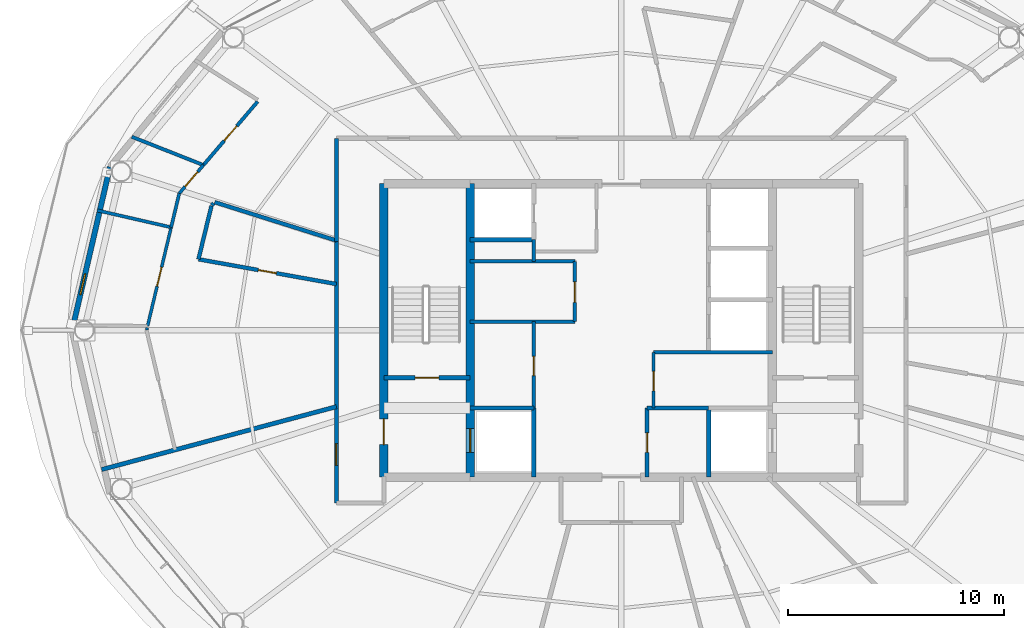
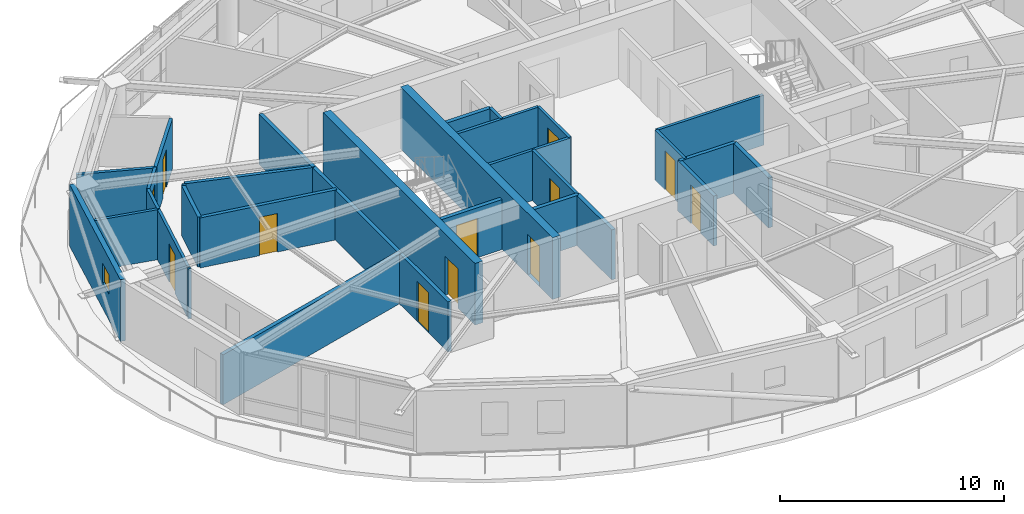
# One storey, part 16 of 23: 31 walls, 12 doors, 1 window, 13 openings.
"""IFC4 building model written with IfcOpenShell, lengths in metres."""

from ifc_helpers import new_model, si_unit, direction, frame, frame_2d, origin, place, context, subcontext, project, spatial, rectangle, extrude, material, layer, layer_set, type_object, element, fill, save


model = new_model("IFC4")

# Units and contexts
model_context = context("Model", 3, precision=1e-05, world=origin(), true_north=direction((0.0, 1.0)))
body_context = subcontext(model_context, "Body", "Model", "MODEL_VIEW")
ifc_project = project(units=[si_unit("LENGTHUNIT", "METRE"), si_unit("AREAUNIT", "SQUARE_METRE"), si_unit("VOLUMEUNIT", "CUBIC_METRE"), si_unit("PLANEANGLEUNIT", "RADIAN"), si_unit("MASSUNIT", "GRAM", prefix="KILO")], contexts=[model_context])

# Site, building, storey
site_placement = place(None, origin())
site = spatial("IfcSite", under=ifc_project, at=site_placement, CompositionType="ELEMENT")
building_placement = place(site_placement, origin())
building = spatial("IfcBuilding", under=site, at=building_placement, Name="Sarneth Arch Tower", CompositionType="ELEMENT")
storey_placement = place(building_placement, frame((0.0, 0.0, 262.199951171875)))
storey = spatial("IfcBuildingStorey", under=building, at=storey_placement, Name="L67", CompositionType="ELEMENT", Elevation=262.199951171875)

# Wall, opening, door
ifc_material_1 = material(Name="Concrete C50/60", Category="concrete")
ifc_layer_1 = layer(ifc_material_1, 0.39990234375)
ifc_layer_set_1 = layer_set([ifc_layer_1], Name="Concrete C50/60")
wall_type_1 = type_object("IfcWallType", Name="WALL-CORE-400", PredefinedType="SHEAR", material=ifc_layer_set_1)
wall_1_placement = place(storey_placement, frame((37.0, 35.199951171875, 0.0), z_axis=(0.0, 0.0, 1.0), x_axis=(0.0, 1.0, 0.0)))
wall_1 = element("IfcWall", 1, at=wall_1_placement, inside=storey, type_object=wall_type_1, Name="L67 Core shear wall W", PredefinedType="SHEAR", context=body_context, shape_type="SweptSolid", body=[
    extrude(rectangle(XDim=13.60009765625, YDim=0.39990234375, at=frame_2d((6.800048828125, 0.0))), origin(), (0.0, 0.0, 1.0), 3.3701171875),
])
opening_1_placement = place(wall_1_placement, frame((1.5, 0.0, 0.0)))
opening_1 = element("IfcOpeningElement", 2, at=opening_1_placement, cuts=wall_1, Name="Opening FD-02", PredefinedType="OPENING", context=body_context, shape_type="SweptSolid", body=[
    extrude(rectangle(XDim=1.199951171875, YDim=2.14990234375, at=frame_2d((0.60009765625, 1.074951171875))), frame((0.0, 0.2099609375, 0.0), z_axis=(0.0, -1.0, 0.0), x_axis=(1.0, 0.0, 0.0)), (0.0, 0.0, 1.0), 0.419921875),
])
ifc_material_2 = material(Name="Galvanised Steel S275 fire door set", Category="steel")
door_type_1 = type_object("IfcDoorType", Name="DR-FD90-1200", OperationType="SINGLE_SWING_LEFT", PredefinedType="DOOR", material=ifc_material_2)
door_1_placement = place(opening_1_placement, origin())
door_1 = element("IfcDoor", 3, at=door_1_placement, inside=storey, type_object=door_type_1, Name="L67 Firefighting lobby 1 exit door", OperationType="SINGLE_SWING_LEFT", OverallHeight=2.14990234375, OverallWidth=1.199951171875, PredefinedType="DOOR", context=body_context, shape_type="SweptSolid", body=[
    extrude(rectangle(XDim=1.199951171875, YDim=2.14990234375, at=frame_2d((0.60009765625, 1.074951171875))), frame((0.0, 0.02490234375, 0.0), z_axis=(0.0, -1.0, 0.0), x_axis=(1.0, 0.0, 0.0)), (0.0, 0.0, 1.0), 0.050048828125),
])
fill(opening_1, door_1)

wall_2_placement = place(storey_placement, frame((41.0, 35.199951171875, 0.0), z_axis=(0.0, 0.0, 1.0), x_axis=(0.0, 1.0, 0.0)))
wall_2 = element("IfcWall", 4, at=wall_2_placement, inside=storey, type_object=wall_type_1, Name="L67 Core shear wall WEB-W", PredefinedType="SHEAR", context=body_context, shape_type="SweptSolid", body=[
    extrude(rectangle(XDim=13.60009765625, YDim=0.39990234375, at=frame_2d((6.800048828125, 0.0))), origin(), (0.0, 0.0, 1.0), 3.3701171875),
])
opening_2_placement = place(wall_2_placement, frame((1.14990234375, 0.0, 0.0)))
opening_2 = element("IfcOpeningElement", 5, at=opening_2_placement, cuts=wall_2, Name="Opening LD-1", PredefinedType="OPENING", context=body_context, shape_type="SweptSolid", body=[
    extrude(rectangle(XDim=1.10009765625, YDim=2.199951171875, at=frame_2d((0.550048828125, 1.10009765625))), frame((0.0, 0.2099609375, 0.0), z_axis=(0.0, -1.0, 0.0), x_axis=(1.0, 0.0, 0.0)), (0.0, 0.0, 1.0), 0.419921875),
])
ifc_material_3 = material(Name="Brushed Stainless Steel 304 lift landing door", Category="steel")
door_type_2 = type_object("IfcDoorType", Name="DR-LIFT-SLIDE-1100", OperationType="SLIDING_TO_LEFT", PredefinedType="DOOR", material=ifc_material_3)
door_2_placement = place(opening_2_placement, origin())
door_2 = element("IfcDoor", 6, at=door_2_placement, inside=storey, type_object=door_type_2, Name="L67 Firefighting lift landing door FL-1", OperationType="SLIDING_TO_LEFT", OverallHeight=2.199951171875, OverallWidth=1.10009765625, PredefinedType="DOOR", context=body_context, shape_type="SweptSolid", body=[
    extrude(rectangle(XDim=1.10009765625, YDim=2.199951171875, at=frame_2d((0.550048828125, 1.10009765625))), frame((0.0, 0.02490234375, 0.0), z_axis=(0.0, -1.0, 0.0), x_axis=(1.0, 0.0, 0.0)), (0.0, 0.0, 1.0), 0.050048828125),
])
fill(opening_2, door_2)

ifc_material_4 = material(Name="Double steel-stud corridor fire wall", Category="steel")
ifc_layer_2 = layer(ifc_material_4, 0.18994140625)
ifc_layer_set_2 = layer_set([ifc_layer_2], Name="Double steel-stud corridor fire wall")
wall_type_2 = type_object("IfcWallType", Name="WALL-CORR-190", PredefinedType="PARTITIONING", material=ifc_layer_set_2)
wall_3_placement = place(storey_placement, frame((34.800048828125, 34.0, 0.0), z_axis=(0.0, 0.0, 1.0), x_axis=(0.0, 1.0, 0.0)))
wall_3 = element("IfcWall", 7, at=wall_3_placement, inside=storey, type_object=wall_type_2, Name="L67 Interior partition W-L67-TP-007", PredefinedType="PARTITIONING", context=body_context, shape_type="SweptSolid", body=[
    extrude(rectangle(XDim=12.195556640625, YDim=0.18994140625, at=frame_2d((6.09765625, 0.0))), origin(), (0.0, 0.0, 1.0), 2.72998046875),
])
opening_3_placement = place(wall_3_placement, frame((1.748046875, 0.0, 0.0)))
opening_3 = element("IfcOpeningElement", 8, at=opening_3_placement, cuts=wall_3, Name="Opening FD-08", PredefinedType="OPENING", context=body_context, shape_type="SweptSolid", body=[
    extrude(rectangle(XDim=1.0, YDim=2.199951171875, at=frame_2d((0.5, 1.10009765625))), frame((0.0, 0.10498046875, 0.0), z_axis=(0.0, -1.0, 0.0), x_axis=(1.0, 0.0, 0.0)), (0.0, 0.0, 1.0), 0.2099609375),
])
ifc_material_5 = material(Name="Hardwood timber acoustic fire door", Category="wood")
door_type_3 = type_object("IfcDoorType", Name="DR-FD60-1000", OperationType="SINGLE_SWING_LEFT", PredefinedType="DOOR", material=ifc_material_5)
door_3_placement = place(opening_3_placement, origin())
door_3 = element("IfcDoor", 9, at=door_3_placement, inside=storey, type_object=door_type_3, Name="L67 Interior door DR-L67-RAMN-04", OperationType="SINGLE_SWING_LEFT", OverallHeight=2.199951171875, OverallWidth=1.0, PredefinedType="DOOR", context=body_context, shape_type="SweptSolid", body=[
    extrude(rectangle(XDim=1.0, YDim=2.199951171875, at=frame_2d((0.5, 1.10009765625))), frame((0.0, 0.02490234375, 0.0), z_axis=(0.0, -1.0, 0.0), x_axis=(1.0, 0.0, 0.0)), (0.0, 0.0, 1.0), 0.050048828125),
])
fill(opening_3, door_3)

# Wall
wall_4_placement = place(storey_placement, frame((34.800048828125, 46.12841796875, 0.0), z_axis=(0.0, 0.0, 1.0), x_axis=(0.0, 1.0, 0.0)))
element("IfcWall", 10, at=wall_4_placement, inside=storey, type_object=wall_type_2, Name="L67 Interior partition W-L67-TP-008", PredefinedType="PARTITIONING", context=body_context, shape_type="SweptSolid", body=[
    extrude(rectangle(XDim=4.771484375, YDim=0.18994140625, at=frame_2d((2.3857421875, 0.0))), origin(), (0.0, 0.0, 1.0), 2.72998046875),
])

# Wall, opening, window
ifc_material_6 = material(Name="Extruded terracotta rainscreen on Concrete C40/50 backing", Category="masonry")
ifc_layer_3 = layer(ifc_material_6, 0.25)
ifc_layer_set_3 = layer_set([ifc_layer_3], Name="Extruded terracotta rainscreen on Concrete C40/50 backing")
wall_type_3 = type_object("IfcWallType", Name="WALL-EXT-SPAND-250", PredefinedType="SOLIDWALL", material=ifc_layer_set_3)
wall_5_placement = place(storey_placement, frame((24.30615234375, 49.569580078125, 0.0), z_axis=(0.0, 0.0, 1.0), x_axis=(-0.225635078214, -0.974211892495, 0.0)))
wall_5 = element("IfcWall", 11, at=wall_5_placement, inside=storey, type_object=wall_type_3, Name="L67 Terracotta perimeter wall 08", PredefinedType="SOLIDWALL", context=body_context, shape_type="SweptSolid", body=[
    extrude(rectangle(XDim=7.77001953125, YDim=0.25, at=frame_2d((3.885009765625, 0.0))), origin(), (0.0, 0.0, 1.0), 3.3701171875),
])
opening_4_placement = place(wall_5_placement, frame((5.07763671875, 0.0, 1.419921875)))
opening_4 = element("IfcOpeningElement", 12, at=opening_4_placement, cuts=wall_5, Name="Opening W-14", PredefinedType="OPENING", context=body_context, shape_type="SweptSolid", body=[
    extrude(rectangle(XDim=1.0, YDim=1.050048828125, at=frame_2d((0.5, 0.52490234375))), frame((0.0, 0.135009765625, 0.0), z_axis=(0.0, -1.0, 0.0), x_axis=(1.0, 0.0, 0.0)), (0.0, 0.0, 1.0), 0.27001953125),
])
ifc_material_7 = material(Name="Thermally broken Aluminium 6063-T6 and low-e laminated IGU", Category="aluminium")
window_type = type_object("IfcWindowType", Name="WIN-TWR-1000x1050", PartitioningType="SINGLE_PANEL", PredefinedType="WINDOW", material=ifc_material_7)
window_placement = place(opening_4_placement, origin())
window = element("IfcWindow", 13, at=window_placement, inside=storey, type_object=window_type, Name="L67 Dwelling bedroom window 03", OverallHeight=1.050048828125, OverallWidth=1.0, PartitioningType="SINGLE_PANEL", PredefinedType="WINDOW", context=body_context, shape_type="SweptSolid", body=[
    extrude(rectangle(XDim=1.0, YDim=1.050048828125, at=frame_2d((0.5, 0.52490234375))), frame((0.0, 0.030029296875, 0.0), z_axis=(0.0, -1.0, 0.0), x_axis=(1.0, 0.0, 0.0)), (0.0, 0.0, 1.0), 0.06005859375),
])
fill(opening_4, window)

# Wall, opening, door
ifc_material_8 = material(Name="Apartment internal stud partition", Category="gypsum")
ifc_layer_4 = layer(ifc_material_8, 0.139892578125)
ifc_layer_set_4 = layer_set([ifc_layer_4], Name="Apartment internal stud partition")
wall_type_4 = type_object("IfcWallType", Name="WALL-PART-140", PredefinedType="PARTITIONING", material=ifc_layer_set_4)
wall_6_placement = place(storey_placement, frame((27.14404296875, 46.774658203125, 0.0), z_axis=(0.0, 0.0, 1.0), x_axis=(-0.232320140936, -0.972639374134, 0.0)))
wall_6 = element("IfcWall", 14, at=wall_6_placement, inside=storey, type_object=wall_type_4, Name="L67 Interior partition W-L67-TP-064", PredefinedType="PARTITIONING", context=body_context, shape_type="SweptSolid", body=[
    extrude(rectangle(XDim=4.70166015625, YDim=0.139892578125, at=frame_2d((2.350830078125, 0.0))), origin(), (0.0, 0.0, 1.0), 2.72998046875),
])
opening_5_placement = place(wall_6_placement, frame((1.90087890625, 0.0, 0.0)))
opening_5 = element("IfcOpeningElement", 15, at=opening_5_placement, cuts=wall_6, Name="Opening ID-01", PredefinedType="OPENING", context=body_context, shape_type="SweptSolid", body=[
    extrude(rectangle(XDim=0.89990234375, YDim=2.10009765625, at=frame_2d((0.449951171875, 1.050048828125))), frame((0.0, 0.079833984375, 0.0), z_axis=(0.0, -1.0, 0.0), x_axis=(1.0, 0.0, 0.0)), (0.0, 0.0, 1.0), 0.159912109375),
])
ifc_material_9 = material(Name="Engineered hardwood flush door", Category="wood")
door_type_4 = type_object("IfcDoorType", Name="DR-INT-900", OperationType="SINGLE_SWING_LEFT", PredefinedType="DOOR", material=ifc_material_9)
door_4_placement = place(opening_5_placement, origin())
door_4 = element("IfcDoor", 16, at=door_4_placement, inside=storey, type_object=door_type_4, Name="L67 Interior door DR-L67-U3-BED1", OperationType="SINGLE_SWING_RIGHT", OverallHeight=2.10009765625, OverallWidth=0.89990234375, PredefinedType="DOOR", context=body_context, shape_type="SweptSolid", body=[
    extrude(rectangle(XDim=0.89990234375, YDim=2.10009765625, at=frame_2d((0.449951171875, 1.050048828125))), frame((0.0, 0.02490234375, 0.0), z_axis=(0.0, -1.0, 0.0), x_axis=(1.0, 0.0, 0.0)), (0.0, 0.0, 1.0), 0.050048828125),
])
fill(opening_5, door_4)

ifc_material_10 = material(Name="Acoustic gypsum stud partition", Category="gypsum")
ifc_layer_5 = layer(ifc_material_10, 0.14990234375)
ifc_layer_set_5 = layer_set([ifc_layer_5], Name="Acoustic gypsum stud partition")
wall_type_5 = type_object("IfcWallType", Name="WALL-PART-150", PredefinedType="PARTITIONING", material=ifc_layer_set_5)
wall_7_placement = place(storey_placement, frame((43.949951171875, 38.39990234375, 0.0), z_axis=(0.0, 0.0, 1.0), x_axis=(0.0, 1.0, 0.0)))
wall_7 = element("IfcWall", 17, at=wall_7_placement, inside=storey, type_object=wall_type_5, Name="L67 Interior partition W-L67-RECPL-E", PredefinedType="PARTITIONING", context=body_context, shape_type="SweptSolid", body=[
    extrude(rectangle(XDim=4.0, YDim=0.14990234375, at=frame_2d((2.0, 0.0))), origin(), (0.0, 0.0, 1.0), 2.72998046875),
])
opening_6_placement = place(wall_7_placement, frame((1.5, 0.0, 0.0)))
opening_6 = element("IfcOpeningElement", 18, at=opening_6_placement, cuts=wall_7, Name="Opening FD-10", PredefinedType="OPENING", context=body_context, shape_type="SweptSolid", body=[
    extrude(rectangle(XDim=0.89990234375, YDim=2.14990234375, at=frame_2d((0.449951171875, 1.074951171875))), frame((0.0, 0.0849609375, 0.0), z_axis=(0.0, -1.0, 0.0), x_axis=(1.0, 0.0, 0.0)), (0.0, 0.0, 1.0), 0.169921875),
])
ifc_material_11 = material(Name="Galvanised Steel S275 riser/service fire door", Category="steel")
door_type_5 = type_object("IfcDoorType", Name="DR-FD60-900", OperationType="SINGLE_SWING_LEFT", PredefinedType="DOOR", material=ifc_material_11)
door_5_placement = place(opening_6_placement, origin())
door_5 = element("IfcDoor", 19, at=door_5_placement, inside=storey, type_object=door_type_5, Name="L67 Interior door DR-L67-RECPL", OperationType="SINGLE_SWING_LEFT", OverallHeight=2.14990234375, OverallWidth=0.89990234375, PredefinedType="DOOR", context=body_context, shape_type="SweptSolid", body=[
    extrude(rectangle(XDim=0.89990234375, YDim=2.14990234375, at=frame_2d((0.449951171875, 1.074951171875))), frame((0.0, 0.02490234375, 0.0), z_axis=(0.0, -1.0, 0.0), x_axis=(1.0, 0.0, 0.0)), (0.0, 0.0, 1.0), 0.050048828125),
])
fill(opening_6, door_5)

# Walls
for number, where, z_axis, x_axis, name in (
    (20, (41.0, 42.39990234375, 0.0), (0.0, 0.0, 1.0), (1.0, 0.0, 0.0), "L67 Interior partition W-L67-RECPM1-S"),
    (21, (41.0, 45.199951171875, 0.0), (0.0, 0.0, 1.0), (1.0, 0.0, 0.0), "L67 Interior partition W-L67-RECPM1-N"),
):
    element("IfcWall", number, at=place(storey_placement, frame(where, z_axis=z_axis, x_axis=x_axis)), inside=storey, type_object=wall_type_5, Name=name, PredefinedType="PARTITIONING", context=body_context, shape_type="SweptSolid", body=[
        extrude(rectangle(XDim=4.85009765625, YDim=0.14990234375, at=frame_2d((2.425048828125, 0.0))), origin(), (0.0, 0.0, 1.0), 2.72998046875),
    ])
wall_8_placement = place(storey_placement, frame((43.949951171875, 45.199951171875, 0.0), z_axis=(0.0, 0.0, 1.0), x_axis=(0.0, 1.0, 0.0)))
element("IfcWall", 22, at=wall_8_placement, inside=storey, type_object=wall_type_5, Name="L67 Interior partition W-L67-RECPM1-W2", PredefinedType="PARTITIONING", context=body_context, shape_type="SweptSolid", body=[
    extrude(rectangle(XDim=1.0, YDim=0.14990234375, at=frame_2d((0.5, 0.0))), origin(), (0.0, 0.0, 1.0), 2.72998046875),
])

# Wall, opening, door
wall_9_placement = place(storey_placement, frame((45.85009765625, 42.39990234375, 0.0), z_axis=(0.0, 0.0, 1.0), x_axis=(0.0, 1.0, 0.0)))
wall_9 = element("IfcWall", 23, at=wall_9_placement, inside=storey, type_object=wall_type_5, Name="L67 Interior partition W-L67-RECPM1-E", PredefinedType="PARTITIONING", context=body_context, shape_type="SweptSolid", body=[
    extrude(rectangle(XDim=2.800048828125, YDim=0.14990234375, at=frame_2d((1.39990234375, 0.0))), origin(), (0.0, 0.0, 1.0), 2.72998046875),
])
opening_7_placement = place(wall_9_placement, frame((0.89990234375, 0.0, 0.0)))
opening_7 = element("IfcOpeningElement", 24, at=opening_7_placement, cuts=wall_9, Name="Opening FD-09", PredefinedType="OPENING", context=body_context, shape_type="SweptSolid", body=[
    extrude(rectangle(XDim=0.949951171875, YDim=2.14990234375, at=frame_2d((0.47509765625, 1.074951171875))), frame((0.0, 0.0849609375, 0.0), z_axis=(0.0, -1.0, 0.0), x_axis=(1.0, 0.0, 0.0)), (0.0, 0.0, 1.0), 0.169921875),
])
ifc_material_12 = material(Name="Hardwood timber hotel entrance fire door", Category="wood")
door_type_6 = type_object("IfcDoorType", Name="DR-FD60-950", OperationType="SINGLE_SWING_RIGHT", PredefinedType="DOOR", material=ifc_material_12)
door_6_placement = place(opening_7_placement, origin())
door_6 = element("IfcDoor", 25, at=door_6_placement, inside=storey, type_object=door_type_6, Name="L67 Interior door DR-L67-RECPM1", OperationType="SINGLE_SWING_RIGHT", OverallHeight=2.14990234375, OverallWidth=0.949951171875, PredefinedType="DOOR", context=body_context, shape_type="SweptSolid", body=[
    extrude(rectangle(XDim=0.949951171875, YDim=2.14990234375, at=frame_2d((0.47509765625, 1.074951171875))), frame((0.0, 0.02490234375, 0.0), z_axis=(0.0, -1.0, 0.0), x_axis=(1.0, 0.0, 0.0)), (0.0, 0.0, 1.0), 0.050048828125),
])
fill(opening_7, door_6)

# Wall
wall_10_placement = place(storey_placement, frame((49.5, 40.97998046875, 0.0), z_axis=(0.0, 0.0, 1.0), x_axis=(1.0, 0.0, 0.0)))
element("IfcWall", 26, at=wall_10_placement, inside=storey, type_object=wall_type_5, Name="L67 Interior partition W-L67-RECPM2-N", PredefinedType="PARTITIONING", context=body_context, shape_type="SweptSolid", body=[
    extrude(rectangle(XDim=5.5, YDim=0.14990234375, at=frame_2d((2.75, 0.0))), origin(), (0.0, 0.0, 1.0), 2.72998046875),
])

# Wall, opening, door
wall_11_placement = place(storey_placement, frame((49.5, 38.39990234375, 0.0), z_axis=(0.0, 0.0, 1.0), x_axis=(0.0, 1.0, 0.0)))
wall_11 = element("IfcWall", 27, at=wall_11_placement, inside=storey, type_object=wall_type_5, Name="L67 Interior partition W-L67-RECPM2-W", PredefinedType="PARTITIONING", context=body_context, shape_type="SweptSolid", body=[
    extrude(rectangle(XDim=2.580078125, YDim=0.14990234375, at=frame_2d((1.2900390625, 0.0))), origin(), (0.0, 0.0, 1.0), 2.72998046875),
])
opening_8_placement = place(wall_11_placement, frame((0.800048828125, 0.0, 0.0)))
opening_8 = element("IfcOpeningElement", 28, at=opening_8_placement, cuts=wall_11, Name="Opening FD-10", PredefinedType="OPENING", context=body_context, shape_type="SweptSolid", body=[
    extrude(rectangle(XDim=0.89990234375, YDim=2.14990234375, at=frame_2d((0.449951171875, 1.074951171875))), frame((0.0, 0.0849609375, 0.0), z_axis=(0.0, -1.0, 0.0), x_axis=(1.0, 0.0, 0.0)), (0.0, 0.0, 1.0), 0.169921875),
])
door_7_placement = place(opening_8_placement, origin())
door_7 = element("IfcDoor", 29, at=door_7_placement, inside=storey, type_object=door_type_5, Name="L67 Interior door DR-L67-RECPM2", OperationType="SINGLE_SWING_LEFT", OverallHeight=2.14990234375, OverallWidth=0.89990234375, PredefinedType="DOOR", context=body_context, shape_type="SweptSolid", body=[
    extrude(rectangle(XDim=0.89990234375, YDim=2.14990234375, at=frame_2d((0.449951171875, 1.074951171875))), frame((0.0, 0.02490234375, 0.0), z_axis=(0.0, -1.0, 0.0), x_axis=(1.0, 0.0, 0.0)), (0.0, 0.0, 1.0), 0.050048828125),
])
fill(opening_8, door_7)

# Wall
wall_12_placement = place(storey_placement, frame((23.71728515625, 47.55908203125, 0.0), z_axis=(0.0, 0.0, 1.0), x_axis=(0.974786474408, -0.223139708056, 0.0)))
element("IfcWall", 30, at=wall_12_placement, inside=storey, type_object=wall_type_5, Name="L67 Interior partition W-L67-TP-069", PredefinedType="PARTITIONING", context=body_context, shape_type="SweptSolid", body=[
    extrude(rectangle(XDim=3.515380859375, YDim=0.14990234375, at=frame_2d((1.7578125, 0.0))), origin(), (0.0, 0.0, 1.0), 2.72998046875),
])

# Wall, opening, door
wall_13_placement = place(storey_placement, frame((28.63916015625, 49.6572265625, 0.0), z_axis=(0.0, 0.0, 1.0), x_axis=(-0.649228439324, -0.760593474579, 0.0)))
wall_13 = element("IfcWall", 31, at=wall_13_placement, inside=storey, type_object=wall_type_5, Name="L67 Interior partition W-L67-TP-056", PredefinedType="PARTITIONING", context=body_context, shape_type="SweptSolid", body=[
    extrude(rectangle(XDim=1.725341796875, YDim=0.14990234375, at=frame_2d((0.86279296875, 0.0))), origin(), (0.0, 0.0, 1.0), 2.72998046875),
])
opening_9_placement = place(wall_13_placement, frame((0.41259765625, 0.0, 0.0)))
opening_9 = element("IfcOpeningElement", 32, at=opening_9_placement, cuts=wall_13, Name="Opening ID-01", PredefinedType="OPENING", context=body_context, shape_type="SweptSolid", body=[
    extrude(rectangle(XDim=0.89990234375, YDim=2.10009765625, at=frame_2d((0.449951171875, 1.050048828125))), frame((0.0, 0.0849609375, 0.0), z_axis=(0.0, -1.0, 0.0), x_axis=(1.0, 0.0, 0.0)), (0.0, 0.0, 1.0), 0.169921875),
])
door_8_placement = place(opening_9_placement, origin())
door_8 = element("IfcDoor", 33, at=door_8_placement, inside=storey, type_object=door_type_4, Name="L67 Interior door DR-L67-U3-STD", OperationType="SINGLE_SWING_RIGHT", OverallHeight=2.10009765625, OverallWidth=0.89990234375, PredefinedType="DOOR", context=body_context, shape_type="SweptSolid", body=[
    extrude(rectangle(XDim=0.89990234375, YDim=2.10009765625, at=frame_2d((0.449951171875, 1.050048828125))), frame((0.0, 0.02490234375, 0.0), z_axis=(0.0, -1.0, 0.0), x_axis=(1.0, 0.0, 0.0)), (0.0, 0.0, 1.0), 0.050048828125),
])
fill(opening_9, door_8)

# Walls
wall_14_placement = place(storey_placement, frame((27.51904296875, 48.344970703125, 0.0), z_axis=(0.0, 0.0, 1.0), x_axis=(-0.232274682056, -0.972650231109, 0.0)))
element("IfcWall", 34, at=wall_14_placement, inside=storey, type_object=wall_type_5, Name="L67 Interior partition W-L67-TP-057", PredefinedType="PARTITIONING", context=body_context, shape_type="SweptSolid", body=[
    extrude(rectangle(XDim=1.614501953125, YDim=0.14990234375, at=frame_2d((0.80712890625, 0.0))), origin(), (0.0, 0.0, 1.0), 2.72998046875),
])
wall_15_placement = place(storey_placement, frame((26.033203125, 42.123779296875, 0.0), z_axis=(0.0, 0.0, 1.0), x_axis=(-0.232339008139, -0.972634867407, 0.0)))
element("IfcWall", 35, at=wall_15_placement, inside=storey, type_object=wall_type_5, Name="L67 Interior partition W-L67-TP-065", PredefinedType="PARTITIONING", context=body_context, shape_type="SweptSolid", body=[
    extrude(rectangle(XDim=0.107177734375, YDim=0.14990234375, at=frame_2d((0.0537109375, 0.0))), origin(), (0.0, 0.0, 1.0), 2.72998046875),
])

# Wall, opening, door
ifc_material_13 = material(Name="Kitchen wet service chase wall", Category="gypsum")
ifc_layer_6 = layer(ifc_material_13, 0.159912109375)
ifc_layer_set_6 = layer_set([ifc_layer_6], Name="Kitchen wet service chase wall")
wall_type_6 = type_object("IfcWallType", Name="WALL-PLUMB-160", PredefinedType="PLUMBINGWALL", material=ifc_layer_set_6)
wall_16_placement = place(storey_placement, frame((31.14990234375, 52.598876953125, 0.0), z_axis=(0.0, 0.0, 1.0), x_axis=(-0.649199141965, -0.760618481285, 0.0)))
wall_16 = element("IfcWall", 36, at=wall_16_placement, inside=storey, type_object=wall_type_6, Name="L67 Interior partition W-L67-TP-059", PredefinedType="PLUMBINGWALL", context=body_context, shape_type="SweptSolid", body=[
    extrude(rectangle(XDim=3.867431640625, YDim=0.159912109375, at=frame_2d((1.93359375, 0.0))), origin(), (0.0, 0.0, 1.0), 2.72998046875),
])
opening_10_placement = place(wall_16_placement, frame((1.48388671875, 0.0, 0.0)))
opening_10 = element("IfcOpeningElement", 37, at=opening_10_placement, cuts=wall_16, Name="Opening ID-01", PredefinedType="OPENING", context=body_context, shape_type="SweptSolid", body=[
    extrude(rectangle(XDim=0.89990234375, YDim=2.10009765625, at=frame_2d((0.449951171875, 1.050048828125))), frame((0.0, 0.08984375, 0.0), z_axis=(0.0, -1.0, 0.0), x_axis=(1.0, 0.0, 0.0)), (0.0, 0.0, 1.0), 0.179931640625),
])
door_9_placement = place(opening_10_placement, origin())
door_9 = element("IfcDoor", 38, at=door_9_placement, inside=storey, type_object=door_type_4, Name="L67 Interior door DR-L67-U3-KIT", OperationType="SINGLE_SWING_RIGHT", OverallHeight=2.10009765625, OverallWidth=0.89990234375, PredefinedType="DOOR", context=body_context, shape_type="SweptSolid", body=[
    extrude(rectangle(XDim=0.89990234375, YDim=2.10009765625, at=frame_2d((0.449951171875, 1.050048828125))), frame((0.0, 0.02490234375, 0.0), z_axis=(0.0, -1.0, 0.0), x_axis=(1.0, 0.0, 0.0)), (0.0, 0.0, 1.0), 0.050048828125),
])
fill(opening_10, door_9)

# Walls
wall_17_placement = place(storey_placement, frame((25.318115234375, 50.970703125, 0.0), z_axis=(0.0, 0.0, 1.0), x_axis=(0.929912335167, -0.36778125143, 0.0)))
element("IfcWall", 39, at=wall_17_placement, inside=storey, type_object=wall_type_6, Name="L67 Interior partition W-L67-TP-068", PredefinedType="PLUMBINGWALL", context=body_context, shape_type="SweptSolid", body=[
    extrude(rectangle(XDim=3.5712890625, YDim=0.159912109375, at=frame_2d((1.78564453125, 0.0))), origin(), (0.0, 0.0, 1.0), 2.72998046875),
])
ifc_material_14 = material(Name="Moisture-resistant plumbing chase wall", Category="gypsum")
ifc_layer_7 = layer(ifc_material_14, 0.179931640625)
ifc_layer_set_7 = layer_set([ifc_layer_7], Name="Moisture-resistant plumbing chase wall")
wall_type_7 = type_object("IfcWallType", Name="WALL-PLUMB-180", PredefinedType="PLUMBINGWALL", material=ifc_layer_set_7)
wall_18_placement = place(storey_placement, frame((49.199951171875, 38.39990234375, 0.0), z_axis=(0.0, 0.0, 1.0), x_axis=(1.0, 0.0, 0.0)))
element("IfcWall", 40, at=wall_18_placement, inside=storey, type_object=wall_type_7, Name="L67 Interior partition W-L67-AWC-N", PredefinedType="PLUMBINGWALL", context=body_context, shape_type="SweptSolid", body=[
    extrude(rectangle(XDim=2.85009765625, YDim=0.179931640625, at=frame_2d((1.425048828125, 0.0))), origin(), (0.0, 0.0, 1.0), 2.72998046875),
])

# Wall, opening, door
wall_19_placement = place(storey_placement, frame((49.199951171875, 35.199951171875, 0.0), z_axis=(0.0, 0.0, 1.0), x_axis=(0.0, 1.0, 0.0)))
wall_19 = element("IfcWall", 41, at=wall_19_placement, inside=storey, type_object=wall_type_7, Name="L67 Interior partition W-L67-AWC-W", PredefinedType="PLUMBINGWALL", context=body_context, shape_type="SweptSolid", body=[
    extrude(rectangle(XDim=3.199951171875, YDim=0.179931640625, at=frame_2d((1.60009765625, 0.0))), origin(), (0.0, 0.0, 1.0), 2.72998046875),
])
opening_11_placement = place(wall_19_placement, frame((1.14990234375, 0.0, 0.0)))
opening_11 = element("IfcOpeningElement", 42, at=opening_11_placement, cuts=wall_19, Name="Opening ID-01", PredefinedType="OPENING", context=body_context, shape_type="SweptSolid", body=[
    extrude(rectangle(XDim=0.89990234375, YDim=2.10009765625, at=frame_2d((0.449951171875, 1.050048828125))), frame((0.0, 0.099853515625, 0.0), z_axis=(0.0, -1.0, 0.0), x_axis=(1.0, 0.0, 0.0)), (0.0, 0.0, 1.0), 0.199951171875),
])
door_10_placement = place(opening_11_placement, origin())
door_10 = element("IfcDoor", 43, at=door_10_placement, inside=storey, type_object=door_type_4, Name="L67 Interior door DR-L67-AWC", OperationType="SINGLE_SWING_RIGHT", OverallHeight=2.10009765625, OverallWidth=0.89990234375, PredefinedType="DOOR", context=body_context, shape_type="SweptSolid", body=[
    extrude(rectangle(XDim=0.89990234375, YDim=2.10009765625, at=frame_2d((0.449951171875, 1.050048828125))), frame((0.0, 0.02490234375, 0.0), z_axis=(0.0, -1.0, 0.0), x_axis=(1.0, 0.0, 0.0)), (0.0, 0.0, 1.0), 0.050048828125),
])
fill(opening_11, door_10)

wall_20_placement = place(storey_placement, frame((28.409423828125, 45.2939453125, 0.0), z_axis=(0.0, 0.0, 1.0), x_axis=(0.984253263435, -0.176764004867, 0.0)))
wall_20 = element("IfcWall", 44, at=wall_20_placement, inside=storey, type_object=wall_type_7, Name="L67 Interior partition W-L67-TP-063", PredefinedType="PLUMBINGWALL", context=body_context, shape_type="SweptSolid", body=[
    extrude(rectangle(XDim=6.492919921875, YDim=0.179931640625, at=frame_2d((3.24658203125, 0.0))), origin(), (0.0, 0.0, 1.0), 2.72998046875),
])
opening_12_placement = place(wall_20_placement, frame((2.8212890625, 0.0, 0.0)))
opening_12 = element("IfcOpeningElement", 45, at=opening_12_placement, cuts=wall_20, Name="Opening ID-02", PredefinedType="OPENING", context=body_context, shape_type="SweptSolid", body=[
    extrude(rectangle(XDim=0.85009765625, YDim=2.10009765625, at=frame_2d((0.425048828125, 1.050048828125))), frame((0.0, 0.099853515625, 0.0), z_axis=(0.0, -1.0, 0.0), x_axis=(1.0, 0.0, 0.0)), (0.0, 0.0, 1.0), 0.199951171875),
])
ifc_material_15 = material(Name="Moisture-resistant bathroom timber door", Category="wood")
door_type_7 = type_object("IfcDoorType", Name="DR-INT-850", OperationType="SINGLE_SWING_RIGHT", PredefinedType="DOOR", material=ifc_material_15)
door_11_placement = place(opening_12_placement, origin())
door_11 = element("IfcDoor", 46, at=door_11_placement, inside=storey, type_object=door_type_7, Name="L67 Interior door DR-L67-U3-BATH", OperationType="SINGLE_SWING_RIGHT", OverallHeight=2.10009765625, OverallWidth=0.85009765625, PredefinedType="DOOR", context=body_context, shape_type="SweptSolid", body=[
    extrude(rectangle(XDim=0.85009765625, YDim=2.10009765625, at=frame_2d((0.425048828125, 1.050048828125))), frame((0.0, 0.02490234375, 0.0), z_axis=(0.0, -1.0, 0.0), x_axis=(1.0, 0.0, 0.0)), (0.0, 0.0, 1.0), 0.050048828125),
])
fill(opening_12, door_11)

# Walls
wall_21_placement = place(storey_placement, frame((34.800048828125, 46.161865234375, 0.0), z_axis=(0.0, 0.0, 1.0), x_axis=(-0.953717336958, 0.3007045746, 0.0)))
element("IfcWall", 47, at=wall_21_placement, inside=storey, type_object=wall_type_7, Name="L67 Interior partition W-L67-TP-060", PredefinedType="PLUMBINGWALL", context=body_context, shape_type="SweptSolid", body=[
    extrude(rectangle(XDim=5.913818359375, YDim=0.179931640625, at=frame_2d((2.95703125, 0.0))), origin(), (0.0, 0.0, 1.0), 2.72998046875),
])
wall_22_placement = place(storey_placement, frame((29.012451171875, 47.77099609375, 0.0), z_axis=(0.0, 0.0, 1.0), x_axis=(-0.236537291112, -0.971622411183, 0.0)))
element("IfcWall", 48, at=wall_22_placement, inside=storey, type_object=wall_type_7, Name="L67 Interior partition W-L67-TP-062", PredefinedType="PLUMBINGWALL", context=body_context, shape_type="SweptSolid", body=[
    extrude(rectangle(XDim=2.54931640625, YDim=0.179931640625, at=frame_2d((1.274658203125, 0.0))), origin(), (0.0, 0.0, 1.0), 2.72998046875),
])
wall_23_placement = place(storey_placement, frame((29.115234375, 47.888916015625, 0.0), z_axis=(0.0, 0.0, 1.0), x_axis=(-0.657024535632, -0.753869192618, 0.0)))
element("IfcWall", 49, at=wall_23_placement, inside=storey, type_object=wall_type_7, Name="L67 Interior partition W-L67-TP-061", PredefinedType="PLUMBINGWALL", context=body_context, shape_type="SweptSolid", body=[
    extrude(rectangle(XDim=0.128662109375, YDim=0.179931640625, at=frame_2d((0.064453125, 0.0))), origin(), (0.0, 0.0, 1.0), 2.72998046875),
])

# Wall, opening, door
ifc_material_16 = material(Name="Aerated concrete blockwork C25/30", Category="masonry")
ifc_layer_8 = layer(ifc_material_16, 0.199951171875)
ifc_layer_set_8 = layer_set([ifc_layer_8], Name="Aerated concrete blockwork C25/30")
wall_type_8 = type_object("IfcWallType", Name="WALL-SHAFT-200", PredefinedType="SOLIDWALL", material=ifc_layer_set_8)
wall_24_placement = place(storey_placement, frame((37.0, 39.800048828125, 0.0), z_axis=(0.0, 0.0, 1.0), x_axis=(1.0, 0.0, 0.0)))
wall_24 = element("IfcWall", 50, at=wall_24_placement, inside=storey, type_object=wall_type_8, Name="L67 Interior partition W-L67-ST1-S", PredefinedType="SOLIDWALL", context=body_context, shape_type="SweptSolid", body=[
    extrude(rectangle(XDim=4.0, YDim=0.199951171875, at=frame_2d((2.0, 0.0))), origin(), (0.0, 0.0, 1.0), 2.72998046875),
])
opening_13_placement = place(wall_24_placement, frame((1.449951171875, 0.0, 0.0)))
opening_13 = element("IfcOpeningElement", 51, at=opening_13_placement, cuts=wall_24, Name="Opening FD-03", PredefinedType="OPENING", context=body_context, shape_type="SweptSolid", body=[
    extrude(rectangle(XDim=1.10009765625, YDim=2.14990234375, at=frame_2d((0.550048828125, 1.074951171875))), frame((0.0, 0.10986328125, 0.0), z_axis=(0.0, -1.0, 0.0), x_axis=(1.0, 0.0, 0.0)), (0.0, 0.0, 1.0), 0.219970703125),
])
ifc_material_17 = material(Name="Galvanised Steel S275 fire door set", Category="steel")
door_type_8 = type_object("IfcDoorType", Name="DR-FD90-1100", OperationType="SINGLE_SWING_LEFT", PredefinedType="DOOR", material=ifc_material_17)
door_12_placement = place(opening_13_placement, origin())
door_12 = element("IfcDoor", 52, at=door_12_placement, inside=storey, type_object=door_type_8, Name="L67 Interior door DR-L67-ST1", OperationType="SINGLE_SWING_LEFT", OverallHeight=2.14990234375, OverallWidth=1.10009765625, PredefinedType="DOOR", context=body_context, shape_type="SweptSolid", body=[
    extrude(rectangle(XDim=1.10009765625, YDim=2.14990234375, at=frame_2d((0.550048828125, 1.074951171875))), frame((0.0, 0.02490234375, 0.0), z_axis=(0.0, -1.0, 0.0), x_axis=(1.0, 0.0, 0.0)), (0.0, 0.0, 1.0), 0.050048828125),
])
fill(opening_13, door_12)

# Walls
wall_25_placement = place(storey_placement, frame((43.949951171875, 35.199951171875, 0.0), z_axis=(0.0, 0.0, 1.0), x_axis=(0.0, 1.0, 0.0)))
element("IfcWall", 53, at=wall_25_placement, inside=storey, type_object=wall_type_8, Name="L67 Interior partition W-L67-FL1-E", PredefinedType="SOLIDWALL", context=body_context, shape_type="SweptSolid", body=[
    extrude(rectangle(XDim=3.199951171875, YDim=0.199951171875, at=frame_2d((1.60009765625, 0.0))), origin(), (0.0, 0.0, 1.0), 2.72998046875),
])
wall_26_placement = place(storey_placement, frame((41.0, 38.39990234375, 0.0), z_axis=(0.0, 0.0, 1.0), x_axis=(1.0, 0.0, 0.0)))
element("IfcWall", 54, at=wall_26_placement, inside=storey, type_object=wall_type_8, Name="L67 Interior partition W-L67-FL1-N", PredefinedType="SOLIDWALL", context=body_context, shape_type="SweptSolid", body=[
    extrude(rectangle(XDim=2.949951171875, YDim=0.199951171875, at=frame_2d((1.47509765625, 0.0))), origin(), (0.0, 0.0, 1.0), 2.72998046875),
])
wall_27_placement = place(storey_placement, frame((52.050048828125, 35.199951171875, 0.0), z_axis=(0.0, 0.0, 1.0), x_axis=(0.0, 1.0, 0.0)))
element("IfcWall", 55, at=wall_27_placement, inside=storey, type_object=wall_type_8, Name="L67 Interior partition W-L67-FL2-W", PredefinedType="SOLIDWALL", context=body_context, shape_type="SweptSolid", body=[
    extrude(rectangle(XDim=3.199951171875, YDim=0.199951171875, at=frame_2d((1.60009765625, 0.0))), origin(), (0.0, 0.0, 1.0), 2.72998046875),
])
wall_28_placement = place(storey_placement, frame((41.0, 46.199951171875, 0.0), z_axis=(0.0, 0.0, 1.0), x_axis=(1.0, 0.0, 0.0)))
element("IfcWall", 56, at=wall_28_placement, inside=storey, type_object=wall_type_8, Name="L67 Interior partition W-L67-RISER-S", PredefinedType="SOLIDWALL", context=body_context, shape_type="SweptSolid", body=[
    extrude(rectangle(XDim=2.949951171875, YDim=0.199951171875, at=frame_2d((1.47509765625, 0.0))), origin(), (0.0, 0.0, 1.0), 2.72998046875),
])
ifc_material_18 = material(Name="Double steel-stud acoustic drywall", Category="steel")
ifc_layer_9 = layer(ifc_material_18, 0.199951171875)
ifc_layer_set_9 = layer_set([ifc_layer_9], Name="Double steel-stud acoustic drywall")
wall_type_9 = type_object("IfcWallType", Name="WALL-UNIT-200", PredefinedType="PARTITIONING", material=ifc_layer_set_9)
wall_29_placement = place(storey_placement, frame((23.924072265625, 35.548828125, 0.0), z_axis=(0.0, 0.0, 1.0), x_axis=(0.965923661364, 0.258827124578, 0.0)))
element("IfcWall", 57, at=wall_29_placement, inside=storey, type_object=wall_type_9, Name="L67 Interior partition W-L67-TP-067", PredefinedType="PARTITIONING", context=body_context, shape_type="SweptSolid", body=[
    extrude(rectangle(XDim=11.259765625, YDim=0.199951171875, at=frame_2d((5.6298828125, 0.0))), origin(), (0.0, 0.0, 1.0), 2.72998046875),
])

save(model, "model.ifc")
